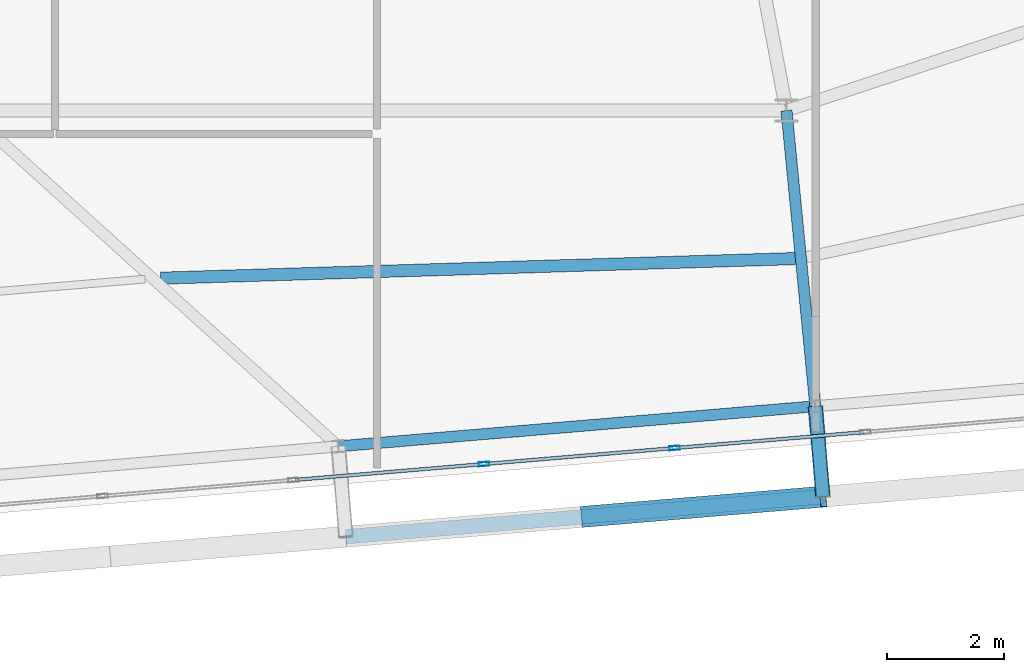
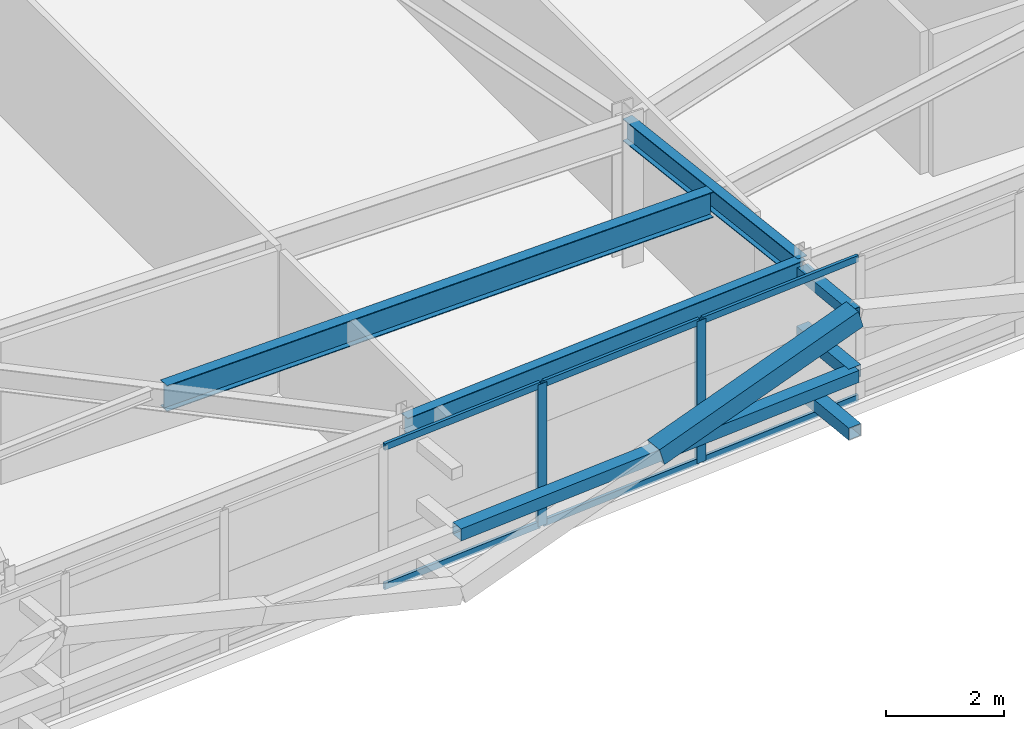
# One storey, part 12 of 46: 13 members, 3 beams, 1 element without a shape of its own.
"""IFC4 building model written with IfcOpenShell, lengths in metres."""

from ifc_helpers import new_model, si_unit, direction, frame, origin, origin_2d, place, context, subcontext, project, spatial, hollow_rectangle, i_section, extrude, source, transform, mapped, material, layer, layer_set, material_profile, profile_set, type_object, element, aggregate, save


model = new_model("IFC4")

# Units and contexts
model_context = context("Model", 3, precision=1e-05, world=origin(), true_north=direction((0.0, 1.0)))
body_context = subcontext(model_context, "Body", "Model", "MODEL_VIEW")
ifc_project = project(units=[si_unit("LENGTHUNIT", "METRE"), si_unit("AREAUNIT", "SQUARE_METRE"), si_unit("VOLUMEUNIT", "CUBIC_METRE"), si_unit("PLANEANGLEUNIT", "RADIAN"), si_unit("MASSUNIT", "GRAM", prefix="KILO")], contexts=[model_context])

# Site, building, storey
site_placement = place(None, origin())
site = spatial("IfcSite", under=ifc_project, at=site_placement, CompositionType="ELEMENT")
building_placement = place(site_placement, origin())
building = spatial("IfcBuilding", under=site, at=building_placement, Name="Taldren Reach Tower", CompositionType="ELEMENT")
storey_placement = place(building_placement, frame((0.0, 0.0, 185.14990234375)))
storey = spatial("IfcBuildingStorey", under=building, at=storey_placement, Name="L56", CompositionType="ELEMENT", Elevation=185.14990234375)

# Members
ifc_material_1 = material(Name="Steel Gr 350 (C350L0)", Category="steel")
ifc_material_profile_1 = material_profile(ifc_material_1, hollow_rectangle(XDim=0.25, YDim=0.25, WallThickness=0.010009765625, at=origin_2d()), Name="250x250x10.0SHS")
ifc_profile_set_1 = profile_set([ifc_material_profile_1], Name="Steel Gr 350 (C350L0)")
member_type_1 = type_object("IfcMemberType", Name="MB-POST250", PredefinedType="POST", material=ifc_profile_set_1)
shared_shape_1 = source(origin(), body_context, "Body", "SweptSolid", [
    extrude(hollow_rectangle(XDim=0.25, YDim=0.25, WallThickness=0.010009765625, at=origin_2d()), origin(), (0.0, 0.0, 1.0), 1.5498046875),
])
for number, where, z_axis, x_axis, name in (
    (1, (42.49365234375, 4.1474609375, 0.22021484375), (0.083645141657, -0.996495604746, 0.0), (0.996495604746, 0.083645141657, 0.0), "Exoskeleton base diaphragm tie strut B4-S4 L56"),
    (2, (42.49365234375, 4.1474609375, 1.43505859375), (0.083645141657, -0.996495604746, 0.0), (0.996495604746, 0.083645141657, 0.0), "Exoskeleton mid-tier diaphragm tie B4-S4 L56"),
):
    element("IfcMember", number, at=place(storey_placement, frame(where, z_axis=z_axis, x_axis=x_axis)), inside=storey, type_object=member_type_1, Name=name, PredefinedType="POST", context=body_context, shape_type="MappedRepresentation", body=[
        mapped(shared_shape_1, transform((0.0, 0.0, 0.0), scale=1.0)),
    ])

# Beams
ifc_material_2 = material(Name="Steel Gr 350 (350PLUS)", Category="steel")
ifc_material_profile_2 = material_profile(ifc_material_2, i_section(OverallWidth=0.18994140625, OverallDepth=0.4541015625, WebThickness=0.008544921875, FlangeThickness=0.0126953125, at=origin_2d()), Name="460UB67.1")
ifc_profile_set_2 = profile_set([ifc_material_profile_2], Name="Steel Gr 350 (350PLUS)")
beam_type_1 = type_object("IfcBeamType", Name="SP-UB460B", PredefinedType="SPANDREL", material=ifc_profile_set_2)
shared_shape_2 = source(origin(), body_context, "Body", "SweptSolid", [
    extrude(i_section(OverallWidth=0.18994140625, OverallDepth=0.4541015625, WebThickness=0.008544921875, FlangeThickness=0.0126953125, at=origin_2d()), origin(), (0.0, 0.0, 1.0), 8.18017578125),
])
beam_1_placement = place(storey_placement, frame((34.34228515625, 3.462890625, 2.703125), z_axis=(0.996492034688, 0.083687662192, 0.0), x_axis=(-0.083687662192, 0.996492034688, 0.0)))
element("IfcBeam", 3, at=beam_1_placement, inside=storey, type_object=beam_type_1, Name="Perimeter spandrel B4 S3-S4 L56", PredefinedType="SPANDREL", context=body_context, shape_type="MappedRepresentation", body=[
    mapped(shared_shape_2, transform((0.0, 0.0, 0.0), scale=1.0)),
])
ifc_material_profile_3 = material_profile(ifc_material_2, i_section(OverallWidth=0.19091796875, OverallDepth=0.4599609375, WebThickness=0.010009765625, FlangeThickness=0.01611328125, at=origin_2d()), Name="460UB82.1")
ifc_profile_set_3 = profile_set([ifc_material_profile_3], Name="Steel Gr 350 (350PLUS)")
beam_type_2 = type_object("IfcBeamType", Name="BM-UB460A", PredefinedType="BEAM", material=ifc_profile_set_3)
shared_shape_3 = source(origin(), body_context, "Body", "SweptSolid", [
    extrude(i_section(OverallWidth=0.19091796875, OverallDepth=0.4599609375, WebThickness=0.010009765625, FlangeThickness=0.01611328125, at=origin_2d()), origin(), (0.0, 0.0, 1.0), 5.07666015625),
])
beam_2_placement = place(storey_placement, frame((42.0, 9.199951171875, 2.7001953125), z_axis=(0.097241716644, -0.995260794236, 0.0), x_axis=(0.995260794236, 0.097241716644, 0.0)))
element("IfcBeam", 4, at=beam_2_placement, inside=storey, type_object=beam_type_2, Name="Primary floor girder B4-S4 L56", PredefinedType="BEAM", context=body_context, shape_type="MappedRepresentation", body=[
    mapped(shared_shape_3, transform((0.0, 0.0, 0.0), scale=1.0)),
])
ifc_material_profile_4 = material_profile(ifc_material_2, i_section(OverallWidth=0.208984375, OverallDepth=0.532958984375, WebThickness=0.01025390625, FlangeThickness=0.015625, at=origin_2d()), Name="530UB92.4")
ifc_profile_set_4 = profile_set([ifc_material_profile_4], Name="Steel Gr 350 (350PLUS)")
beam_type_3 = type_object("IfcBeamType", Name="BM-UB530A", PredefinedType="BEAM", material=ifc_profile_set_4)
shared_shape_4 = source(origin(), body_context, "Body", "SweptSolid", [
    extrude(i_section(OverallWidth=0.208984375, OverallDepth=0.532958984375, WebThickness=0.01025390625, FlangeThickness=0.015625, at=origin_2d()), origin(), (0.0, 0.0, 1.0), 10.847412109375),
])
beam_3_placement = place(storey_placement, frame((31.308837890625, 6.335693359375, 2.66357421875), z_axis=(0.999522428572, 0.030901695439, 0.0), x_axis=(-0.030901695439, 0.999522428572, 0.0)))
element("IfcBeam", 5, at=beam_3_placement, inside=storey, type_object=beam_type_3, Name="Secondary floor beam B4 J3 L56", PredefinedType="BEAM", context=body_context, shape_type="MappedRepresentation", body=[
    mapped(shared_shape_4, transform((0.0, 0.0, 0.0), scale=1.0)),
])

# Members
ifc_material_3 = material(Name="Steel Gr 450 (C450L0)", Category="steel")
ifc_material_profile_5 = material_profile(ifc_material_3, hollow_rectangle(XDim=0.219970703125, YDim=0.219970703125, WallThickness=0.00830078125, at=origin_2d()), Name="220x220x8.2SHS")
ifc_profile_set_5 = profile_set([ifc_material_profile_5], Name="Steel Gr 450 (C450L0)")
member_type_2 = type_object("IfcMemberType", Name="MB-TIE219", PredefinedType="STRUT", material=ifc_profile_set_5)
shared_shape_5 = source(origin(), body_context, "Body", "SweptSolid", [
    extrude(hollow_rectangle(XDim=0.219970703125, YDim=0.219970703125, WallThickness=0.00830078125, at=origin_2d()), origin(), (0.0, 0.0, 1.0), 1.5498046875),
])
member_1_placement = place(storey_placement, frame((42.49365234375, 4.1474609375, 2.650146484375), z_axis=(0.083645141657, -0.996495604746, 0.0), x_axis=(0.996495604746, 0.083645141657, 0.0)))
element("IfcMember", 6, at=member_1_placement, inside=storey, type_object=member_type_2, Name="Exoskeleton diaphragm tie strut B4-S4 L56", PredefinedType="STRUT", context=body_context, shape_type="MappedRepresentation", body=[
    mapped(shared_shape_5, transform((0.0, 0.0, 0.0), scale=1.0)),
])
shared_shape_6 = source(origin(), body_context, "Body", "SweptSolid", [
    extrude(hollow_rectangle(XDim=0.25, YDim=0.25, WallThickness=0.010009765625, at=origin_2d()), origin(), (0.0, 0.0, 1.0), 8.18017578125),
])
member_2_placement = place(storey_placement, frame((34.471923828125, 1.91845703125, 1.43505859375), z_axis=(0.996492034688, 0.083687662192, 0.0), x_axis=(-0.083687662192, 0.996492034688, 0.0)))
element("IfcMember", 7, at=member_2_placement, inside=storey, type_object=member_type_1, Name="Exoskeleton mid-height ring chord B4-S3 L56", PredefinedType="POST", context=body_context, shape_type="MappedRepresentation", body=[
    mapped(shared_shape_6, transform((0.0, 0.0, 0.0), scale=1.0)),
])
ifc_material_profile_6 = material_profile(ifc_material_3, hollow_rectangle(XDim=0.360107421875, YDim=0.360107421875, WallThickness=0.0126953125, at=origin_2d()), Name="360x360x12.7SHS")
ifc_profile_set_6 = profile_set([ifc_material_profile_6], Name="Steel Gr 450 (C450L0)")
member_type_3 = type_object("IfcMemberType", Name="MB-EXO356", PredefinedType="BRACE", material=ifc_profile_set_6)
shared_shape_7 = source(origin(), body_context, "Body", "SweptSolid", [
    extrude(hollow_rectangle(XDim=0.360107421875, YDim=0.360107421875, WallThickness=0.0126953125, at=origin_2d()), origin(), (0.0, 0.0, 1.0), 4.2666015625),
])
member_3_placement = place(storey_placement, frame((38.547607421875, 2.2607421875, 1.43505859375), z_axis=(0.955229159097, 0.080222312271, 0.284783486572), x_axis=(-0.083687662192, 0.996492034688, 0.0)))
element("IfcMember", 8, at=member_3_placement, inside=storey, type_object=member_type_3, Name="Exoskeleton Diagrid Brace B4-S3 L56", PredefinedType="BRACE", context=body_context, shape_type="MappedRepresentation", body=[
    mapped(shared_shape_7, transform((0.0, 0.0, 0.0), scale=1.0)),
])

# Curtain wall, members
ifc_material_4 = material(Name="Aluminium and Low-E Glass Unitised System", Category="aluminium")
ifc_layer = layer(ifc_material_4, 0.159912109375)
ifc_layer_set = layer_set([ifc_layer], Name="Aluminium and Low-E Glass Unitised System")
curtain_wall_type = type_object("IfcCurtainWallType", Name="CW-SYS-5", PredefinedType="NOTDEFINED", material=ifc_layer_set)
curtain_wall_placement = place(storey_placement, origin())
curtain_wall = element("IfcCurtainWall", 9, at=curtain_wall_placement, inside=storey, type_object=curtain_wall_type, Name="Unitised curtain wall CW-L56-S", PredefinedType="NOTDEFINED")
ifc_material_5 = material(Name="Anodised Aluminium 6063-T6", Category="aluminium")
ifc_material_profile_7 = material_profile(ifc_material_5, hollow_rectangle(XDim=0.070068359375, YDim=0.179931640625, WallThickness=0.00390625, at=origin_2d()), Name="ALU-180x70x4RHS")
ifc_profile_set_7 = profile_set([ifc_material_profile_7], Name="Anodised Aluminium 6063-T6")
member_type_4 = type_object("IfcMemberType", Name="CW-MUL-180", PredefinedType="MULLION", material=ifc_profile_set_7)
shared_shape_8 = source(origin(), body_context, "Body", "SweptSolid", [
    extrude(hollow_rectangle(XDim=0.070068359375, YDim=0.179931640625, WallThickness=0.00390625, at=origin_2d()), origin(), (0.0, 0.0, 1.0), 2.93017578125),
])
member_4_placement = place(storey_placement, frame((36.831787109375, 3.16015625, 0.0), z_axis=(0.0, 0.0, 1.0), x_axis=(-0.083677894865, 0.996492854922, 0.0)))
member_4 = element("IfcMember", 10, at=member_4_placement, type_object=member_type_4, Name="CW-5 mullion 7", PredefinedType="MULLION", context=body_context, shape_type="MappedRepresentation", body=[
    mapped(shared_shape_8, transform((0.0, 0.0, 0.0), scale=1.0)),
])
member_5_placement = place(storey_placement, frame((40.089599609375, 3.433837890625, 0.0), z_axis=(0.0, 0.0, 1.0), x_axis=(-0.083677894865, 0.996492854922, 0.0)))
member_5 = element("IfcMember", 11, at=member_5_placement, type_object=member_type_4, Name="CW-5 mullion 8", PredefinedType="MULLION", context=body_context, shape_type="MappedRepresentation", body=[
    mapped(shared_shape_8, transform((0.0, 0.0, 0.0), scale=1.0)),
])
ifc_material_profile_8 = material_profile(ifc_material_5, hollow_rectangle(XDim=0.06005859375, YDim=0.135009765625, WallThickness=0.00341796875, at=origin_2d()), Name="ALU-135x60x3.5RHS")
ifc_profile_set_8 = profile_set([ifc_material_profile_8], Name="Anodised Aluminium 6063-T6")
member_type_5 = type_object("IfcMemberType", Name="CW-TRN-150", PredefinedType="USERDEFINED", material=ifc_profile_set_8)
shared_shape_9 = source(origin(), body_context, "Body", "SweptSolid", [
    extrude(hollow_rectangle(XDim=0.06005859375, YDim=0.135009765625, WallThickness=0.00341796875, at=origin_2d()), origin(), (0.0, 0.0, 1.0), 3.19921875),
])
member_6_placement = place(storey_placement, frame((33.60888671875, 2.8896484375, 0.030029296875), z_axis=(0.996496109493, 0.083639128198, 0.0), x_axis=(-0.083639128198, 0.996496109493, 0.0)))
member_6 = element("IfcMember", 12, at=member_6_placement, type_object=member_type_5, Name="CW-5 transom 6.1", ObjectType="TRANSOM", PredefinedType="USERDEFINED", context=body_context, shape_type="MappedRepresentation", body=[
    mapped(shared_shape_9, transform((0.0, 0.0, 0.0), scale=1.0)),
])
member_7_placement = place(storey_placement, frame((33.60888671875, 2.8896484375, 2.900146484375), z_axis=(0.996496109493, 0.083639128198, 0.0), x_axis=(-0.083639128198, 0.996496109493, 0.0)))
member_7 = element("IfcMember", 13, at=member_7_placement, type_object=member_type_5, Name="CW-5 transom 6.2", ObjectType="TRANSOM", PredefinedType="USERDEFINED", context=body_context, shape_type="MappedRepresentation", body=[
    mapped(shared_shape_9, transform((0.0, 0.0, 0.0), scale=1.0)),
])
member_8_placement = place(storey_placement, frame((36.86669921875, 3.1630859375, 0.030029296875), z_axis=(0.996489746258, 0.083714906697, 0.0), x_axis=(-0.083714906697, 0.996489746258, 0.0)))
member_8 = element("IfcMember", 14, at=member_8_placement, type_object=member_type_5, Name="CW-5 transom 7.1", ObjectType="TRANSOM", PredefinedType="USERDEFINED", context=body_context, shape_type="MappedRepresentation", body=[
    mapped(shared_shape_9, transform((0.0, 0.0, 0.0), scale=1.0)),
])
member_9_placement = place(storey_placement, frame((36.86669921875, 3.1630859375, 2.900146484375), z_axis=(0.996489746258, 0.083714906697, 0.0), x_axis=(-0.083714906697, 0.996489746258, 0.0)))
member_9 = element("IfcMember", 15, at=member_9_placement, type_object=member_type_5, Name="CW-5 transom 7.2", ObjectType="TRANSOM", PredefinedType="USERDEFINED", context=body_context, shape_type="MappedRepresentation", body=[
    mapped(shared_shape_9, transform((0.0, 0.0, 0.0), scale=1.0)),
])
member_10_placement = place(storey_placement, frame((40.124267578125, 3.436767578125, 0.030029296875), z_axis=(0.996496109493, 0.083639128198, 0.0), x_axis=(-0.083639128198, 0.996496109493, 0.0)))
member_10 = element("IfcMember", 16, at=member_10_placement, type_object=member_type_5, Name="CW-5 transom 8.1", ObjectType="TRANSOM", PredefinedType="USERDEFINED", context=body_context, shape_type="MappedRepresentation", body=[
    mapped(shared_shape_9, transform((0.0, 0.0, 0.0), scale=1.0)),
])
member_11_placement = place(storey_placement, frame((40.124267578125, 3.436767578125, 2.900146484375), z_axis=(0.996496109493, 0.083639128198, 0.0), x_axis=(-0.083639128198, 0.996496109493, 0.0)))
member_11 = element("IfcMember", 17, at=member_11_placement, type_object=member_type_5, Name="CW-5 transom 8.2", ObjectType="TRANSOM", PredefinedType="USERDEFINED", context=body_context, shape_type="MappedRepresentation", body=[
    mapped(shared_shape_9, transform((0.0, 0.0, 0.0), scale=1.0)),
])
aggregate(curtain_wall, [member_4, member_5, member_6, member_7, member_8, member_9, member_10, member_11])

save(model, "model.ifc")
